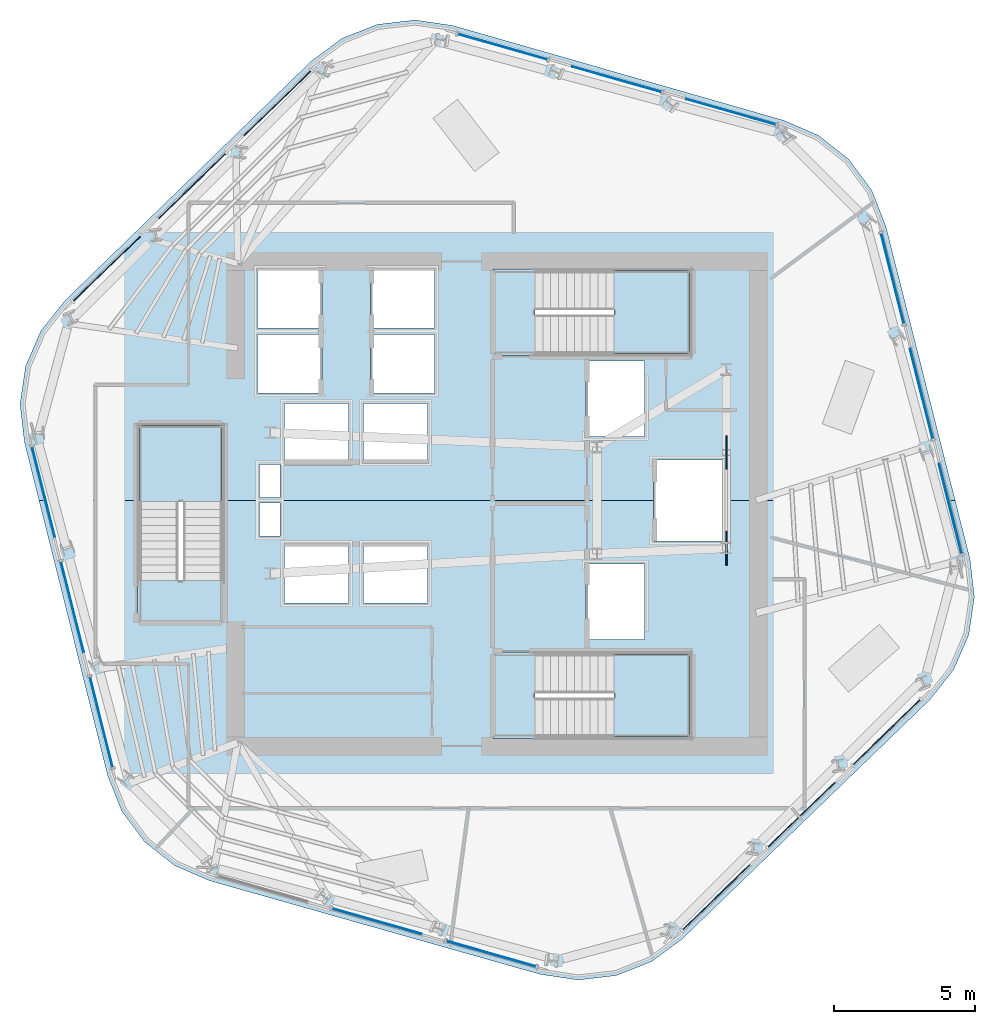
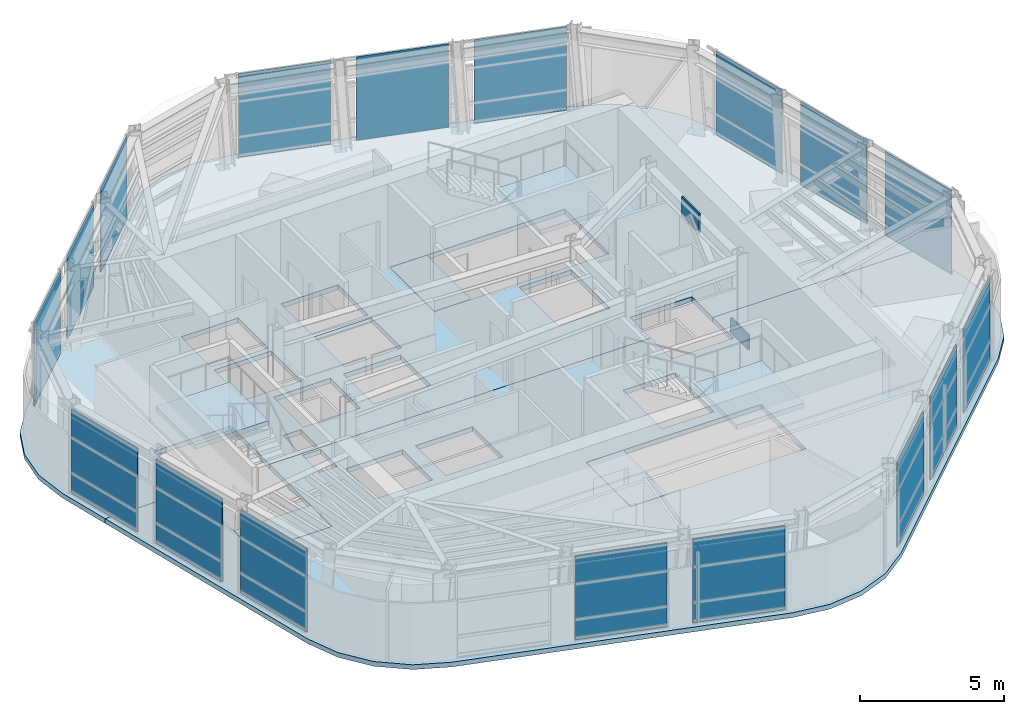
# One storey, part 6 of 14: 19 plates, 8 slabs, 9 elements without a shape of their own.
"""IFC4 building model written with IfcOpenShell, lengths in metres."""

from ifc_helpers import new_model, si_unit, direction, frame, origin, origin_2d, place, context, subcontext, project, spatial, polyline, rectangle, outline, extrude, material, layer, layer_set, type_object, element, aggregate, save


model = new_model("IFC4")

# Units and contexts
model_context = context("Model", 3, precision=1e-05, world=origin(), true_north=direction((0.0, 1.0)))
body_context = subcontext(model_context, "Body", "Model", "MODEL_VIEW")
ifc_project = project(units=[si_unit("LENGTHUNIT", "METRE"), si_unit("AREAUNIT", "SQUARE_METRE"), si_unit("VOLUMEUNIT", "CUBIC_METRE"), si_unit("PLANEANGLEUNIT", "RADIAN"), si_unit("MASSUNIT", "GRAM", prefix="KILO")], contexts=[model_context])

# Site, building, storey
site_placement = place(None, origin())
site = spatial("IfcSite", under=ifc_project, at=site_placement, CompositionType="ELEMENT")
building_placement = place(site_placement, origin())
building = spatial("IfcBuilding", under=site, at=building_placement, Name="Valkerne Bourse Tower", CompositionType="ELEMENT")
storey_placement = place(building_placement, frame((0.0, 0.0, 213.199951171875)))
storey = spatial("IfcBuildingStorey", under=building, at=storey_placement, Name="L54", CompositionType="ELEMENT", Elevation=213.199951171875)

# Curtain wall, plates
ifc_material_1 = material(Name="Aluminium AA 6063-T6", Category="aluminium")
ifc_layer_1 = layer(ifc_material_1, 0.239990234375)
ifc_layer_set_1 = layer_set([ifc_layer_1], Name="Aluminium AA 6063-T6")
curtain_wall_type = type_object("IfcCurtainWallType", Name="CW-04", PredefinedType="NOTDEFINED", material=ifc_layer_set_1)
curtain_wall_1_placement = place(storey_placement, origin())
curtain_wall_1 = element("IfcCurtainWall", 1, at=curtain_wall_1_placement, inside=storey, type_object=curtain_wall_type, Name="L54 Hexagonal Stick Curtain Wall Face 1", PredefinedType="NOTDEFINED")
ifc_material_2 = material(Name="Glass IGU Low-E Double Glazed", Category="glass")
ifc_layer_2 = layer(ifc_material_2, 0.031982421875)
ifc_layer_set_2 = layer_set([ifc_layer_2], Name="Glass IGU Low-E Double Glazed")
plate_type_1 = type_object("IfcPlateType", Name="CW-PNL-IGU-32", PredefinedType="CURTAIN_PANEL", material=ifc_layer_set_2)
plate_1_placement = place(storey_placement, frame((55.10791015625, 40.790283203125, 0.030029296875), z_axis=(0.0, 0.0, 1.0), x_axis=(-0.961741355471, 0.273959057484, 0.0)))
plate_1 = element("IfcPlate", 2, at=plate_1_placement, type_object=plate_type_1, Name="CW-L54-F1 Curtain Panel 00", PredefinedType="CURTAIN_PANEL", context=body_context, shape_type="SweptSolid", body=[
    extrude(rectangle(XDim=3.2919921875, YDim=0.031982421875, at=origin_2d()), origin(), (0.0, 0.0, 1.0), 3.5400390625),
])
plate_2_placement = place(storey_placement, frame((51.056884765625, 41.944091796875, 0.030029296875), z_axis=(0.0, 0.0, 1.0), x_axis=(-0.961743137329, 0.27395280214, 0.0)))
plate_2 = element("IfcPlate", 3, at=plate_2_placement, type_object=plate_type_1, Name="CW-L54-F1 Curtain Panel 01", PredefinedType="CURTAIN_PANEL", context=body_context, shape_type="SweptSolid", body=[
    extrude(rectangle(XDim=3.2919921875, YDim=0.031982421875, at=origin_2d()), origin(), (0.0, 0.0, 1.0), 3.5400390625),
])
plate_3_placement = place(storey_placement, frame((47.006103515625, 43.09814453125, 0.030029296875), z_axis=(0.0, 0.0, 1.0), x_axis=(-0.961741355471, 0.273959057484, 0.0)))
plate_3 = element("IfcPlate", 4, at=plate_3_placement, type_object=plate_type_1, Name="CW-L54-F1 Curtain Panel 02", PredefinedType="CURTAIN_PANEL", context=body_context, shape_type="SweptSolid", body=[
    extrude(rectangle(XDim=3.2919921875, YDim=0.031982421875, at=origin_2d()), origin(), (0.0, 0.0, 1.0), 3.5400390625),
])
aggregate(curtain_wall_1, [plate_1, plate_2, plate_3])

curtain_wall_2_placement = place(storey_placement, origin())
curtain_wall_2 = element("IfcCurtainWall", 5, at=curtain_wall_2_placement, inside=storey, type_object=curtain_wall_type, Name="L54 Hexagonal Stick Curtain Wall Face 2", PredefinedType="NOTDEFINED")
plate_4_placement = place(storey_placement, frame((39.01123046875, 41.090087890625, 0.030029296875), z_axis=(0.0, 0.0, 1.0), x_axis=(-0.718118967108, -0.695920361161, 0.0)))
plate_4 = element("IfcPlate", 6, at=plate_4_placement, type_object=plate_type_1, Name="CW-L54-F2 Curtain Panel 00", PredefinedType="CURTAIN_PANEL", context=body_context, shape_type="SweptSolid", body=[
    extrude(rectangle(XDim=3.2919921875, YDim=0.031982421875, at=origin_2d()), origin(), (0.0, 0.0, 1.0), 3.5400390625),
])
plate_5_placement = place(storey_placement, frame((35.986328125, 38.15869140625, 0.030029296875), z_axis=(0.0, 0.0, 1.0), x_axis=(-0.718130465105, -0.695908496203, 0.0)))
plate_5 = element("IfcPlate", 7, at=plate_5_placement, type_object=plate_type_1, Name="CW-L54-F2 Curtain Panel 01", PredefinedType="CURTAIN_PANEL", context=body_context, shape_type="SweptSolid", body=[
    extrude(rectangle(XDim=3.2919921875, YDim=0.031982421875, at=origin_2d()), origin(), (0.0, 0.0, 1.0), 3.5400390625),
])
plate_6_placement = place(storey_placement, frame((32.961669921875, 35.2275390625, 0.030029296875), z_axis=(0.0, 0.0, 1.0), x_axis=(-0.718118967108, -0.695920361161, 0.0)))
plate_6 = element("IfcPlate", 8, at=plate_6_placement, type_object=plate_type_1, Name="CW-L54-F2 Curtain Panel 02", PredefinedType="CURTAIN_PANEL", context=body_context, shape_type="SweptSolid", body=[
    extrude(rectangle(XDim=3.2919921875, YDim=0.031982421875, at=origin_2d()), origin(), (0.0, 0.0, 1.0), 3.5400390625),
])
aggregate(curtain_wall_2, [plate_4, plate_5, plate_6])

curtain_wall_3_placement = place(storey_placement, origin())
curtain_wall_3 = element("IfcCurtainWall", 9, at=curtain_wall_3_placement, inside=storey, type_object=curtain_wall_type, Name="L54 Hexagonal Stick Curtain Wall Face 3", PredefinedType="NOTDEFINED")
plate_7_placement = place(storey_placement, frame((30.703369140625, 27.299560546875, 0.030029296875), z_axis=(0.0, 0.0, 1.0), x_axis=(0.243613627949, -0.96987236288, 0.0)))
plate_7 = element("IfcPlate", 10, at=plate_7_placement, type_object=plate_type_1, Name="CW-L54-F3 Curtain Panel 00", PredefinedType="CURTAIN_PANEL", context=body_context, shape_type="SweptSolid", body=[
    extrude(rectangle(XDim=3.2919921875, YDim=0.031982421875, at=origin_2d()), origin(), (0.0, 0.0, 1.0), 3.5400390625),
])
plate_8_placement = place(storey_placement, frame((31.7294921875, 23.214599609375, 0.030029296875), z_axis=(0.0, 0.0, 1.0), x_axis=(0.243613627949, -0.96987236288, 0.0)))
plate_8 = element("IfcPlate", 11, at=plate_8_placement, type_object=plate_type_1, Name="CW-L54-F3 Curtain Panel 01", PredefinedType="CURTAIN_PANEL", context=body_context, shape_type="SweptSolid", body=[
    extrude(rectangle(XDim=3.2919921875, YDim=0.031982421875, at=origin_2d()), origin(), (0.0, 0.0, 1.0), 3.5400390625),
])
plate_9_placement = place(storey_placement, frame((32.755615234375, 19.12939453125, 0.030029296875), z_axis=(0.0, 0.0, 1.0), x_axis=(0.243613627949, -0.96987236288, 0.0)))
plate_9 = element("IfcPlate", 12, at=plate_9_placement, type_object=plate_type_1, Name="CW-L54-F3 Curtain Panel 02", PredefinedType="CURTAIN_PANEL", context=body_context, shape_type="SweptSolid", body=[
    extrude(rectangle(XDim=3.2919921875, YDim=0.031982421875, at=origin_2d()), origin(), (0.0, 0.0, 1.0), 3.5400390625),
])
aggregate(curtain_wall_3, [plate_7, plate_8, plate_9])

curtain_wall_4_placement = place(storey_placement, origin())
curtain_wall_4 = element("IfcCurtainWall", 13, at=curtain_wall_4_placement, inside=storey, type_object=curtain_wall_type, Name="L54 Hexagonal Stick Curtain Wall Face 4", PredefinedType="NOTDEFINED")
plate_10_placement = place(storey_placement, frame((42.54296875, 12.0556640625, 0.030029296875), z_axis=(0.0, 0.0, 1.0), x_axis=(0.961743137329, -0.27395280214, 0.0)))
plate_10 = element("IfcPlate", 14, at=plate_10_placement, type_object=plate_type_1, Name="CW-L54-F4 Curtain Panel 01", PredefinedType="CURTAIN_PANEL", context=body_context, shape_type="SweptSolid", body=[
    extrude(rectangle(XDim=3.2919921875, YDim=0.031982421875, at=origin_2d()), origin(), (0.0, 0.0, 1.0), 3.5400390625),
])
plate_11_placement = place(storey_placement, frame((46.593994140625, 10.90185546875, 0.030029296875), z_axis=(0.0, 0.0, 1.0), x_axis=(0.961741355471, -0.273959057484, 0.0)))
plate_11 = element("IfcPlate", 15, at=plate_11_placement, type_object=plate_type_1, Name="CW-L54-F4 Curtain Panel 02", PredefinedType="CURTAIN_PANEL", context=body_context, shape_type="SweptSolid", body=[
    extrude(rectangle(XDim=3.2919921875, YDim=0.031982421875, at=origin_2d()), origin(), (0.0, 0.0, 1.0), 3.5400390625),
])
aggregate(curtain_wall_4, [plate_10, plate_11])

curtain_wall_5_placement = place(storey_placement, origin())
curtain_wall_5 = element("IfcCurtainWall", 16, at=curtain_wall_5_placement, inside=storey, type_object=curtain_wall_type, Name="L54 Hexagonal Stick Curtain Wall Face 5", PredefinedType="NOTDEFINED")
plate_12_placement = place(storey_placement, frame((54.5888671875, 12.91015625, 0.030029296875), z_axis=(0.0, 0.0, 1.0), x_axis=(0.718118967108, 0.695920361161, 0.0)))
plate_12 = element("IfcPlate", 17, at=plate_12_placement, type_object=plate_type_1, Name="CW-L54-F5 Curtain Panel 00", PredefinedType="CURTAIN_PANEL", context=body_context, shape_type="SweptSolid", body=[
    extrude(rectangle(XDim=3.2919921875, YDim=0.031982421875, at=origin_2d()), origin(), (0.0, 0.0, 1.0), 3.5400390625),
])
plate_13_placement = place(storey_placement, frame((57.613525390625, 15.84130859375, 0.030029296875), z_axis=(0.0, 0.0, 1.0), x_axis=(0.718130465105, 0.695908496203, 0.0)))
plate_13 = element("IfcPlate", 18, at=plate_13_placement, type_object=plate_type_1, Name="CW-L54-F5 Curtain Panel 01", PredefinedType="CURTAIN_PANEL", context=body_context, shape_type="SweptSolid", body=[
    extrude(rectangle(XDim=3.2919921875, YDim=0.031982421875, at=origin_2d()), origin(), (0.0, 0.0, 1.0), 3.5400390625),
])
plate_14_placement = place(storey_placement, frame((60.638427734375, 18.7724609375, 0.030029296875), z_axis=(0.0, 0.0, 1.0), x_axis=(0.718118967108, 0.695920361161, 0.0)))
plate_14 = element("IfcPlate", 19, at=plate_14_placement, type_object=plate_type_1, Name="CW-L54-F5 Curtain Panel 02", PredefinedType="CURTAIN_PANEL", context=body_context, shape_type="SweptSolid", body=[
    extrude(rectangle(XDim=3.2919921875, YDim=0.031982421875, at=origin_2d()), origin(), (0.0, 0.0, 1.0), 3.5400390625),
])
aggregate(curtain_wall_5, [plate_12, plate_13, plate_14])

curtain_wall_6_placement = place(storey_placement, origin())
curtain_wall_6 = element("IfcCurtainWall", 20, at=curtain_wall_6_placement, inside=storey, type_object=curtain_wall_type, Name="L54 Hexagonal Stick Curtain Wall Face 6", PredefinedType="NOTDEFINED")
plate_15_placement = place(storey_placement, frame((62.896728515625, 26.700439453125, 0.030029296875), z_axis=(0.0, 0.0, 1.0), x_axis=(-0.243613627949, 0.96987236288, 0.0)))
plate_15 = element("IfcPlate", 21, at=plate_15_placement, type_object=plate_type_1, Name="CW-L54-F6 Curtain Panel 00", PredefinedType="CURTAIN_PANEL", context=body_context, shape_type="SweptSolid", body=[
    extrude(rectangle(XDim=3.2919921875, YDim=0.031982421875, at=origin_2d()), origin(), (0.0, 0.0, 1.0), 3.5400390625),
])
plate_16_placement = place(storey_placement, frame((61.87060546875, 30.785400390625, 0.030029296875), z_axis=(0.0, 0.0, 1.0), x_axis=(-0.243613627949, 0.96987236288, 0.0)))
plate_16 = element("IfcPlate", 22, at=plate_16_placement, type_object=plate_type_1, Name="CW-L54-F6 Curtain Panel 01", PredefinedType="CURTAIN_PANEL", context=body_context, shape_type="SweptSolid", body=[
    extrude(rectangle(XDim=3.2919921875, YDim=0.031982421875, at=origin_2d()), origin(), (0.0, 0.0, 1.0), 3.5400390625),
])
plate_17_placement = place(storey_placement, frame((60.844482421875, 34.87060546875, 0.030029296875), z_axis=(0.0, 0.0, 1.0), x_axis=(-0.243613627949, 0.96987236288, 0.0)))
plate_17 = element("IfcPlate", 23, at=plate_17_placement, type_object=plate_type_1, Name="CW-L54-F6 Curtain Panel 02", PredefinedType="CURTAIN_PANEL", context=body_context, shape_type="SweptSolid", body=[
    extrude(rectangle(XDim=3.2919921875, YDim=0.031982421875, at=origin_2d()), origin(), (0.0, 0.0, 1.0), 3.5400390625),
])
aggregate(curtain_wall_6, [plate_15, plate_16, plate_17])

# Plates
ifc_material_3 = material(Name="Steel ASTM A572 Grade 50", Category="steel")
ifc_layer_3 = layer(ifc_material_3, 0.06005859375)
ifc_layer_set_3 = layer_set([ifc_layer_3], Name="Steel ASTM A572 Grade 50")
plate_type_2 = type_object("IfcPlateType", Name="PLT-GUS-60", PredefinedType="SHEET", material=ifc_layer_set_3)
for number, where, z_axis, x_axis, name in (
    (24, (54.949951171875, 25.300048828125, -0.18017578125), (0.0, 0.0, 1.0), (0.0, 1.0, 0.0), "L54 Brace Node Gusset Plate PLT-GUS-END-L54-424"),
    (25, (54.949951171875, 28.699951171875, 2.89404296875), (0.0, 0.0, 1.0), (0.0, 1.0, 0.0), "L54 Brace Node Gusset Plate PLT-GUS-END-L54-425"),
):
    element("IfcPlate", number, at=place(storey_placement, frame(where, z_axis=z_axis, x_axis=x_axis)), inside=storey, type_object=plate_type_2, Name=name, PredefinedType="SHEET", context=body_context, shape_type="SweptSolid", body=[
        extrude(rectangle(XDim=1.199951171875, YDim=0.06005859375, at=origin_2d()), origin(), (0.0, 0.0, 1.0), 0.800048828125),
    ])

# Slabs
ifc_material_4 = material(Name="Concrete C40/50", Category="concrete")
ifc_layer_4 = layer(ifc_material_4, 0.25)
ifc_layer_set_4 = layer_set([ifc_layer_4], Name="Concrete C40/50")
slab_type_1 = type_object("IfcSlabType", Name="SLB-RMP-LND-250", PredefinedType="LANDING", material=ifc_layer_set_4)
slab_1_placement = place(storey_placement, frame((0.0, 0.0, -0.199951171875)))
element("IfcSlab", 26, at=slab_1_placement, inside=storey, type_object=slab_type_1, Name="L54 ST-1 Floor Landing Slab", PredefinedType="LANDING", context=body_context, shape_type="SweptSolid", body=[
    extrude(outline(polyline([(46.669921875, 18.5400390625), (48.14990234375, 18.5400390625), (48.14990234375, 21.610107421875), (46.669921875, 21.610107421875), (46.669921875, 18.5400390625)])), origin(), (0.0, 0.0, 1.0), 0.199951171875),
])
slab_2_placement = place(storey_placement, frame((0.0, 0.0, -0.199951171875)))
element("IfcSlab", 27, at=slab_2_placement, inside=storey, type_object=slab_type_1, Name="L54 ST-2 Floor Landing Slab", PredefinedType="LANDING", context=body_context, shape_type="SweptSolid", body=[
    extrude(outline(polyline([(46.669921875, 32.139892578125), (48.14990234375, 32.139892578125), (48.14990234375, 35.2099609375), (46.669921875, 35.2099609375), (46.669921875, 32.139892578125)])), origin(), (0.0, 0.0, 1.0), 0.199951171875),
])
slab_3_placement = place(storey_placement, frame((0.0, 0.0, -0.199951171875)))
element("IfcSlab", 28, at=slab_3_placement, inside=storey, type_object=slab_type_1, Name="L54 ST-3 Floor Landing Slab", PredefinedType="LANDING", context=body_context, shape_type="SweptSolid", body=[
    extrude(outline(polyline([(37.110107421875, 22.669921875), (37.110107421875, 24.14990234375), (34.0400390625, 24.14990234375), (34.0400390625, 22.669921875), (37.110107421875, 22.669921875)])), origin(), (0.0, 0.0, 1.0), 0.199951171875),
])

# Stair, slab
stair_type = type_object("IfcStairType", Name="ST-CORE-1400", PredefinedType="HALF_TURN_STAIR", material=ifc_material_4)
stair_1_placement = place(storey_placement, origin())
stair_1 = element("IfcStair", 29, at=stair_1_placement, inside=storey, type_object=stair_type, Name="L54 ST-1", PredefinedType="HALF_TURN_STAIR")
ifc_layer_5 = layer(ifc_material_4, 0.179931640625)
ifc_layer_set_5 = layer_set([ifc_layer_5], Name="Concrete C40/50")
slab_type_2 = type_object("IfcSlabType", Name="SLB-ST-LND-180", PredefinedType="LANDING", material=ifc_layer_set_5)
slab_4_placement = place(storey_placement, frame((0.0, 0.0, 1.699951171875)))
slab_4 = element("IfcSlab", 30, at=slab_4_placement, type_object=slab_type_2, Name="ST-1 landing 1", PredefinedType="LANDING", context=body_context, shape_type="SweptSolid", body=[
    extrude(outline(polyline([(50.949951171875, 18.60009765625), (53.64990234375, 18.60009765625), (53.64990234375, 21.550048828125), (50.949951171875, 21.550048828125), (50.949951171875, 18.60009765625)])), origin(), (0.0, 0.0, 1.0), 0.2001953125),
])
aggregate(stair_1, [slab_4])

stair_2_placement = place(storey_placement, origin())
stair_2 = element("IfcStair", 31, at=stair_2_placement, inside=storey, type_object=stair_type, Name="L54 ST-2", PredefinedType="HALF_TURN_STAIR")
slab_5_placement = place(storey_placement, frame((0.0, 0.0, 1.699951171875)))
slab_5 = element("IfcSlab", 32, at=slab_5_placement, type_object=slab_type_2, Name="ST-2 landing 1", PredefinedType="LANDING", context=body_context, shape_type="SweptSolid", body=[
    extrude(outline(polyline([(50.949951171875, 32.199951171875), (53.64990234375, 32.199951171875), (53.64990234375, 35.14990234375), (50.949951171875, 35.14990234375), (50.949951171875, 32.199951171875)])), origin(), (0.0, 0.0, 1.0), 0.2001953125),
])
aggregate(stair_2, [slab_5])

stair_3_placement = place(storey_placement, origin())
stair_3 = element("IfcStair", 33, at=stair_3_placement, inside=storey, type_object=stair_type, Name="L54 ST-3", PredefinedType="HALF_TURN_STAIR")
slab_6_placement = place(storey_placement, frame((0.0, 0.0, 1.699951171875)))
slab_6 = element("IfcSlab", 34, at=slab_6_placement, type_object=slab_type_2, Name="ST-3 landing 1", PredefinedType="LANDING", context=body_context, shape_type="SweptSolid", body=[
    extrude(outline(polyline([(37.050048828125, 26.949951171875), (37.050048828125, 29.64990234375), (34.10009765625, 29.64990234375), (34.10009765625, 26.949951171875), (37.050048828125, 26.949951171875)])), origin(), (0.0, 0.0, 1.0), 0.2001953125),
])
aggregate(stair_3, [slab_6])

# Slabs
ifc_layer_6 = layer(ifc_material_4, 0.199951171875)
ifc_layer_set_6 = layer_set([ifc_layer_6], Name="Concrete C40/50")
slab_type_3 = type_object("IfcSlabType", Name="SLB-TOW-200", PredefinedType="FLOOR", material=ifc_layer_set_6)
slab_7_placement = place(storey_placement, frame((0.0, 0.0, -0.199951171875)))
element("IfcSlab", 35, at=slab_7_placement, inside=storey, type_object=slab_type_3, Name="L54 Hexagonal Composite Floor Slab S", PredefinedType="FLOOR", context=body_context, shape_type="SweptSolid", body=[
    extrude(outline(polyline([(63.750732421875, 23.57080078125), (63.552490234375, 22.227783203125), (63.01318359375, 20.982177734375), (62.170166015625, 19.918212890625), (53.389892578125, 11.4375), (52.300048828125, 10.62841796875), (51.037841796875, 10.12841796875), (49.689208984375, 9.972412109375), (48.346435546875, 10.1708984375), (36.6005859375, 13.49560546875), (35.35498046875, 14.034912109375), (34.291015625, 14.8779296875), (33.481689453125, 15.9677734375), (32.98193359375, 17.22998046875), (30.545166015625, 27.0), (34.034912109375, 27.0), (34.034912109375, 22.6650390625), (37.114990234375, 22.6650390625), (37.114990234375, 27.0), (52.360107421875, 27.0), (52.360107421875, 25.56005859375), (54.840087890625, 25.56005859375), (54.840087890625, 27.0), (63.068359375, 27.0), (63.5947265625, 24.919189453125), (63.750732421875, 23.57080078125)]), holes=[polyline([(41.5400390625, 25.43994140625), (39.260009765625, 25.43994140625), (39.260009765625, 23.360107421875), (41.5400390625, 23.360107421875), (41.5400390625, 25.43994140625)]), polyline([(44.340087890625, 25.43994140625), (42.06005859375, 25.43994140625), (42.06005859375, 23.360107421875), (44.340087890625, 23.360107421875), (44.340087890625, 25.43994140625)]), polyline([(39.10009765625, 26.89990234375), (38.3798828125, 26.89990234375), (38.3798828125, 25.72998046875), (39.10009765625, 25.72998046875), (39.10009765625, 26.89990234375)]), polyline([(53.675048828125, 21.614990234375), (46.6650390625, 21.614990234375), (46.6650390625, 18.534912109375), (53.675048828125, 18.534912109375), (53.675048828125, 21.614990234375)]), polyline([(52.0400390625, 24.739990234375), (49.9599609375, 24.739990234375), (49.9599609375, 22.06005859375), (52.0400390625, 22.06005859375), (52.0400390625, 24.739990234375)])]), origin(), (0.0, 0.0, 1.0), 0.199951171875),
])
slab_8_placement = place(storey_placement, frame((0.0, 0.0, -0.199951171875)))
element("IfcSlab", 36, at=slab_8_placement, inside=storey, type_object=slab_type_3, Name="L54 Hexagonal Composite Floor Slab N", PredefinedType="FLOOR", context=body_context, shape_type="SweptSolid", body=[
    extrude(outline(polyline([(30.027587890625, 29.07421875), (29.87158203125, 30.4228515625), (30.070068359375, 31.765625), (30.609130859375, 33.011474609375), (31.452392578125, 34.0751953125), (40.20458984375, 42.5849609375), (41.29443359375, 43.394287109375), (42.556396484375, 43.89404296875), (43.905029296875, 44.050048828125), (45.247802734375, 43.851806640625), (56.982421875, 40.488037109375), (58.228515625, 39.948974609375), (59.292236328125, 39.105712890625), (60.1015625, 38.01611328125), (60.601318359375, 36.75390625), (63.068359375, 27.0), (54.840087890625, 27.0), (54.840087890625, 28.43994140625), (52.360107421875, 28.43994140625), (52.360107421875, 27.0), (37.114990234375, 27.0), (37.114990234375, 29.675048828125), (34.034912109375, 29.675048828125), (34.034912109375, 27.0), (30.545166015625, 27.0), (30.027587890625, 29.07421875)]), holes=[polyline([(39.10009765625, 28.27001953125), (38.3798828125, 28.27001953125), (38.3798828125, 27.10009765625), (39.10009765625, 27.10009765625), (39.10009765625, 28.27001953125)]), polyline([(41.5400390625, 30.43994140625), (39.260009765625, 30.43994140625), (39.260009765625, 28.360107421875), (41.5400390625, 28.360107421875), (41.5400390625, 30.43994140625)]), polyline([(40.590087890625, 32.889892578125), (38.31005859375, 32.889892578125), (38.31005859375, 30.81005859375), (40.590087890625, 30.81005859375), (40.590087890625, 32.889892578125)]), polyline([(40.590087890625, 35.18994140625), (38.31005859375, 35.18994140625), (38.31005859375, 33.110107421875), (40.590087890625, 33.110107421875), (40.590087890625, 35.18994140625)]), polyline([(44.340087890625, 30.43994140625), (42.06005859375, 30.43994140625), (42.06005859375, 28.360107421875), (44.340087890625, 28.360107421875), (44.340087890625, 30.43994140625)]), polyline([(52.0400390625, 31.93994140625), (49.9599609375, 31.93994140625), (49.9599609375, 29.260009765625), (52.0400390625, 29.260009765625), (52.0400390625, 31.93994140625)]), polyline([(44.590087890625, 32.889892578125), (42.31005859375, 32.889892578125), (42.31005859375, 30.81005859375), (44.590087890625, 30.81005859375), (44.590087890625, 32.889892578125)]), polyline([(53.675048828125, 35.215087890625), (46.6650390625, 35.215087890625), (46.6650390625, 32.135009765625), (53.675048828125, 32.135009765625), (53.675048828125, 35.215087890625)]), polyline([(44.590087890625, 35.18994140625), (42.31005859375, 35.18994140625), (42.31005859375, 33.110107421875), (44.590087890625, 33.110107421875), (44.590087890625, 35.18994140625)])]), origin(), (0.0, 0.0, 1.0), 0.199951171875),
])

save(model, "model.ifc")
